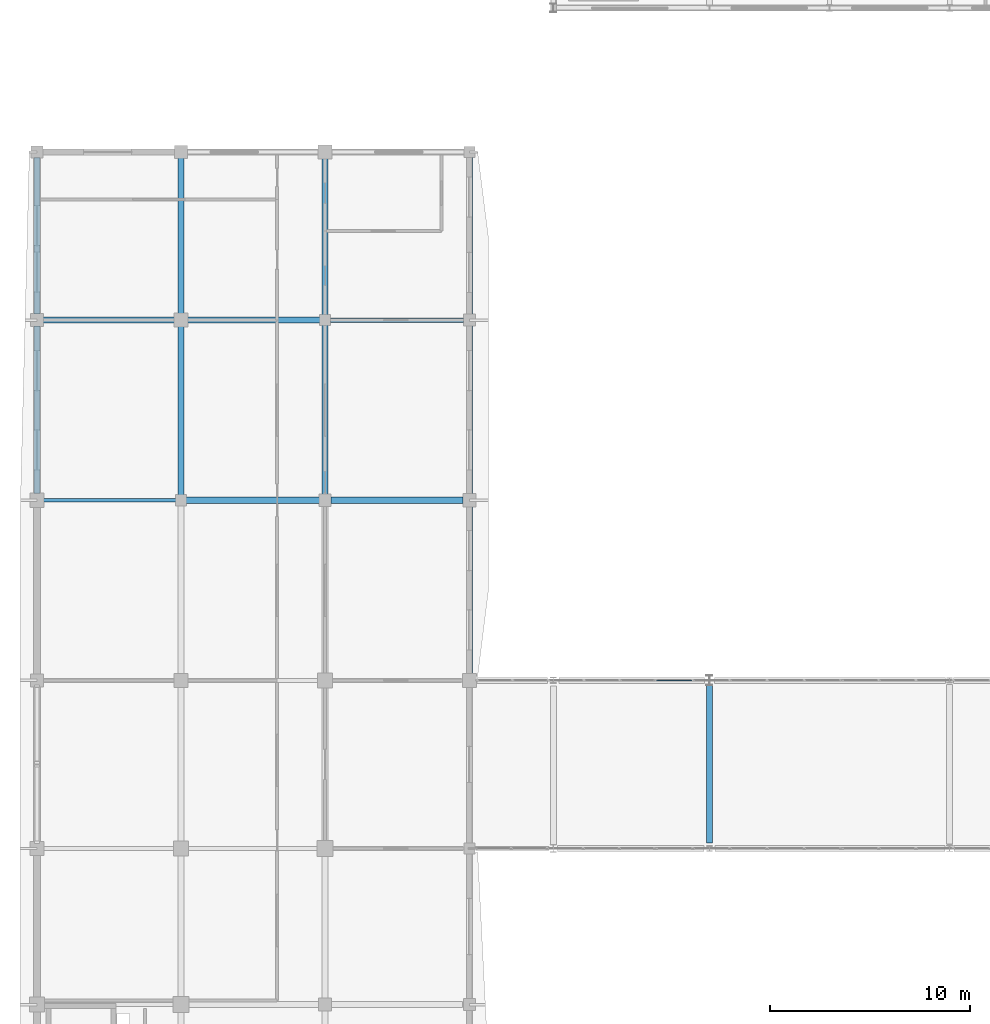
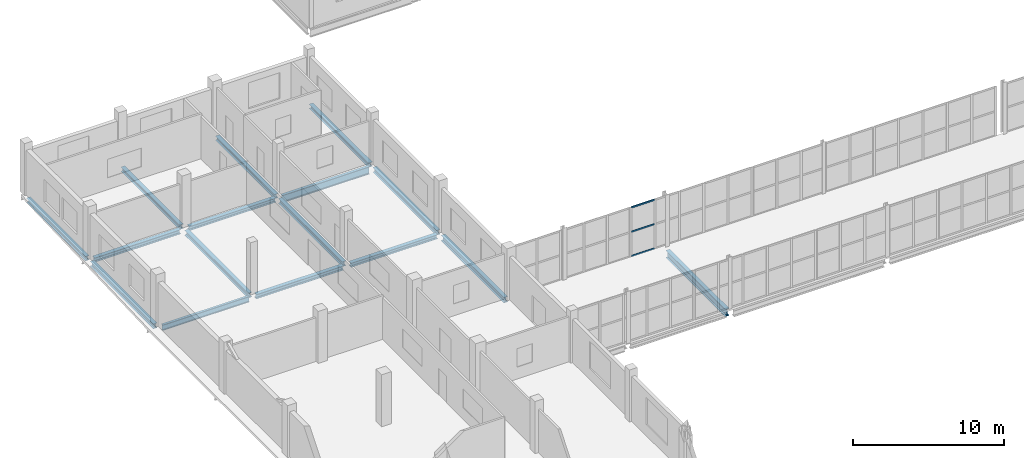
# One storey, part 60 of 121: 16 beams, 3 members, 1 element without a shape of its own.
"""IFC4 building model written with IfcOpenShell, lengths in metres."""

from ifc_helpers import new_model, si_unit, direction, frame, origin, origin_2d, place, context, subcontext, project, spatial, hollow_rectangle, i_section, extrude, material, layer, layer_set, material_profile, profile_set, type_object, element, aggregate, save


model = new_model("IFC4")

# Units and contexts
model_context = context("Model", 3, precision=1e-05, world=origin(), true_north=direction((0.0, 1.0)))
body_context = subcontext(model_context, "Body", "Model", "MODEL_VIEW")
ifc_project = project(units=[si_unit("LENGTHUNIT", "METRE"), si_unit("AREAUNIT", "SQUARE_METRE"), si_unit("VOLUMEUNIT", "CUBIC_METRE"), si_unit("PLANEANGLEUNIT", "RADIAN"), si_unit("MASSUNIT", "GRAM", prefix="KILO")], contexts=[model_context])

# Site, building, storey
site_placement = place(None, origin())
site = spatial("IfcSite", under=ifc_project, at=site_placement, CompositionType="ELEMENT")
building_placement = place(site_placement, origin())
building = spatial("IfcBuilding", under=site, at=building_placement, Name="Vinh Khe Railworks Police Headquarters", CompositionType="ELEMENT")
storey_placement = place(building_placement, frame((0.0, 0.0, 4.800048828125)))
storey = spatial("IfcBuildingStorey", under=building, at=storey_placement, Name="L01", CompositionType="ELEMENT", Elevation=4.800048828125)

# Beams
ifc_material_1 = material(Name="Steel S355JR", Category="steel")
ifc_material_profile_1 = material_profile(ifc_material_1, i_section(OverallWidth=0.300048828125, OverallDepth=0.330078125, WebThickness=0.009521484375, FlangeThickness=0.0166015625, FilletRadius=0.027099609375, at=origin_2d()), Name="HEA 340")
ifc_profile_set_1 = profile_set([ifc_material_profile_1], Name="Steel S355JR")
beam_type_1 = type_object("IfcBeamType", Name="Steel Girder HEA 340", PredefinedType="BEAM", material=ifc_profile_set_1)
beam_1_placement = place(storey_placement, frame((15.280029296875, 113.39990234375, -0.405029296875), z_axis=(1.0, 0.0, 0.0), x_axis=(0.0, 1.0, 0.0)))
element("IfcBeam", 1, at=beam_1_placement, inside=storey, type_object=beam_type_1, Name="Girder BM-L01-EW-SB-16-0506", PredefinedType="BEAM", context=body_context, shape_type="SweptSolid", body=[
    extrude(i_section(OverallWidth=0.300048828125, OverallDepth=0.330078125, WebThickness=0.009521484375, FlangeThickness=0.0166015625, FilletRadius=0.027099609375, at=origin_2d()), origin(), (0.0, 0.0, 1.0), 6.614990234375),
])
beam_2_placement = place(storey_placement, frame((8.1298828125, 122.39990234375, -0.405029296875), z_axis=(1.0, 0.0, 0.0), x_axis=(0.0, 1.0, 0.0)))
element("IfcBeam", 2, at=beam_2_placement, inside=storey, type_object=beam_type_1, Name="Girder BM-L01-EW-SB-16-0512", PredefinedType="BEAM", context=body_context, shape_type="SweptSolid", body=[
    extrude(i_section(OverallWidth=0.300048828125, OverallDepth=0.330078125, WebThickness=0.009521484375, FlangeThickness=0.0166015625, FilletRadius=0.027099609375, at=origin_2d()), origin(), (0.0, 0.0, 1.0), 6.615234375),
])
ifc_material_profile_2 = material_profile(ifc_material_1, i_section(OverallWidth=0.300048828125, OverallDepth=0.35009765625, WebThickness=0.010009765625, FlangeThickness=0.017578125, FilletRadius=0.027099609375, at=origin_2d()), Name="HEA 360")
ifc_profile_set_2 = profile_set([ifc_material_profile_2], Name="Steel S355JR")
beam_type_2 = type_object("IfcBeamType", Name="Steel Girder HEA 360", PredefinedType="BEAM", material=ifc_profile_set_2)
beam_3_placement = place(storey_placement, frame((8.054931640625, 113.39990234375, -0.4150390625), z_axis=(1.0, 0.0, 0.0), x_axis=(0.0, 1.0, 0.0)))
element("IfcBeam", 3, at=beam_3_placement, inside=storey, type_object=beam_type_2, Name="Girder BM-L01-EW-SB-15-0505", PredefinedType="BEAM", context=body_context, shape_type="SweptSolid", body=[
    extrude(i_section(OverallWidth=0.300048828125, OverallDepth=0.35009765625, WebThickness=0.010009765625, FlangeThickness=0.017578125, FilletRadius=0.027099609375, at=origin_2d()), origin(), (0.0, 0.0, 1.0), 6.6650390625),
])
beam_4_placement = place(storey_placement, frame((0.905029296875, 122.39990234375, -0.4150390625), z_axis=(1.0, 0.0, 0.0), x_axis=(0.0, 1.0, 0.0)))
element("IfcBeam", 4, at=beam_4_placement, inside=storey, type_object=beam_type_2, Name="Girder BM-L01-EW-SB-15-0511", PredefinedType="BEAM", context=body_context, shape_type="SweptSolid", body=[
    extrude(i_section(OverallWidth=0.300048828125, OverallDepth=0.35009765625, WebThickness=0.010009765625, FlangeThickness=0.017578125, FilletRadius=0.027099609375, at=origin_2d()), origin(), (0.0, 0.0, 1.0), 6.56494140625),
])
beam_5_placement = place(storey_placement, frame((0.60009765625, 122.705078125, -0.4150390625), z_axis=(0.0, 1.0, 0.0), x_axis=(-1.0, 0.0, 0.0)))
element("IfcBeam", 5, at=beam_5_placement, inside=storey, type_object=beam_type_2, Name="Girder BM-L01-NS-SB-15-0576", PredefinedType="BEAM", context=body_context, shape_type="SweptSolid", body=[
    extrude(i_section(OverallWidth=0.300048828125, OverallDepth=0.35009765625, WebThickness=0.010009765625, FlangeThickness=0.017578125, FilletRadius=0.027099609375, at=origin_2d()), origin(), (0.0, 0.0, 1.0), 7.81494140625),
])
beam_6_placement = place(storey_placement, frame((7.800048828125, 122.72998046875, -0.4150390625), z_axis=(0.0, 1.0, 0.0), x_axis=(-1.0, 0.0, 0.0)))
element("IfcBeam", 6, at=beam_6_placement, inside=storey, type_object=beam_type_2, Name="Girder BM-L01-NS-SB-15-0594", PredefinedType="BEAM", context=body_context, shape_type="SweptSolid", body=[
    extrude(i_section(OverallWidth=0.300048828125, OverallDepth=0.35009765625, WebThickness=0.010009765625, FlangeThickness=0.017578125, FilletRadius=0.027099609375, at=origin_2d()), origin(), (0.0, 0.0, 1.0), 7.76513671875),
])
beam_7_placement = place(storey_placement, frame((15.0, 122.655029296875, -0.4150390625), z_axis=(0.0, 1.0, 0.0), x_axis=(-1.0, 0.0, 0.0)))
element("IfcBeam", 7, at=beam_7_placement, inside=storey, type_object=beam_type_2, Name="Girder BM-L01-NS-SB-15-0612", PredefinedType="BEAM", context=body_context, shape_type="SweptSolid", body=[
    extrude(i_section(OverallWidth=0.300048828125, OverallDepth=0.35009765625, WebThickness=0.010009765625, FlangeThickness=0.017578125, FilletRadius=0.027099609375, at=origin_2d()), origin(), (0.0, 0.0, 1.0), 7.81494140625),
])
beam_8_placement = place(storey_placement, frame((22.199951171875, 122.679931640625, -0.4150390625), z_axis=(0.0, 1.0, 0.0), x_axis=(-1.0, 0.0, 0.0)))
element("IfcBeam", 8, at=beam_8_placement, inside=storey, type_object=beam_type_2, Name="Girder BM-L01-NS-SB-15-0630", PredefinedType="BEAM", context=body_context, shape_type="SweptSolid", body=[
    extrude(i_section(OverallWidth=0.300048828125, OverallDepth=0.35009765625, WebThickness=0.010009765625, FlangeThickness=0.017578125, FilletRadius=0.027099609375, at=origin_2d()), origin(), (0.0, 0.0, 1.0), 7.864990234375),
])
ifc_material_profile_3 = material_profile(ifc_material_1, i_section(OverallWidth=0.300048828125, OverallDepth=0.389892578125, WebThickness=0.010986328125, FlangeThickness=0.01904296875, FilletRadius=0.027099609375, at=origin_2d()), Name="HEA 400")
ifc_profile_set_3 = profile_set([ifc_material_profile_3], Name="Steel S355JR")
beam_type_3 = type_object("IfcBeamType", Name="Steel Girder HEA 400", PredefinedType="BEAM", material=ifc_profile_set_3)
beam_9_placement = place(storey_placement, frame((0.60009765625, 113.72998046875, -0.43505859375), z_axis=(0.0, 1.0, 0.0), x_axis=(-1.0, 0.0, 0.0)))
element("IfcBeam", 9, at=beam_9_placement, inside=storey, type_object=beam_type_3, Name="Girder BM-L01-NS-SB-14-0575", PredefinedType="BEAM", context=body_context, shape_type="SweptSolid", body=[
    extrude(i_section(OverallWidth=0.300048828125, OverallDepth=0.389892578125, WebThickness=0.010986328125, FlangeThickness=0.01904296875, FilletRadius=0.027099609375, at=origin_2d()), origin(), (0.0, 0.0, 1.0), 8.364990234375),
])
beam_10_placement = place(storey_placement, frame((7.800048828125, 113.655029296875, -0.43505859375), z_axis=(0.0, 1.0, 0.0), x_axis=(-1.0, 0.0, 0.0)))
element("IfcBeam", 10, at=beam_10_placement, inside=storey, type_object=beam_type_3, Name="Girder BM-L01-NS-SB-14-0593", PredefinedType="BEAM", context=body_context, shape_type="SweptSolid", body=[
    extrude(i_section(OverallWidth=0.300048828125, OverallDepth=0.389892578125, WebThickness=0.010986328125, FlangeThickness=0.01904296875, FilletRadius=0.027099609375, at=origin_2d()), origin(), (0.0, 0.0, 1.0), 8.4150390625),
])
beam_11_placement = place(storey_placement, frame((15.0, 113.679931640625, -0.43505859375), z_axis=(0.0, 1.0, 0.0), x_axis=(-1.0, 0.0, 0.0)))
element("IfcBeam", 11, at=beam_11_placement, inside=storey, type_object=beam_type_3, Name="Girder BM-L01-NS-SB-14-0611", PredefinedType="BEAM", context=body_context, shape_type="SweptSolid", body=[
    extrude(i_section(OverallWidth=0.300048828125, OverallDepth=0.389892578125, WebThickness=0.010986328125, FlangeThickness=0.01904296875, FilletRadius=0.027099609375, at=origin_2d()), origin(), (0.0, 0.0, 1.0), 8.465087890625),
])
beam_12_placement = place(storey_placement, frame((22.199951171875, 113.705078125, -0.43505859375), z_axis=(0.0, 1.0, 0.0), x_axis=(-1.0, 0.0, 0.0)))
element("IfcBeam", 12, at=beam_12_placement, inside=storey, type_object=beam_type_3, Name="Girder BM-L01-NS-SB-14-0629", PredefinedType="BEAM", context=body_context, shape_type="SweptSolid", body=[
    extrude(i_section(OverallWidth=0.300048828125, OverallDepth=0.389892578125, WebThickness=0.010986328125, FlangeThickness=0.01904296875, FilletRadius=0.027099609375, at=origin_2d()), origin(), (0.0, 0.0, 1.0), 8.4150390625),
])
ifc_material_profile_4 = material_profile(ifc_material_1, i_section(OverallWidth=0.300048828125, OverallDepth=0.43994140625, WebThickness=0.011474609375, FlangeThickness=0.02099609375, FilletRadius=0.027099609375, at=origin_2d()), Name="HEA 450")
ifc_profile_set_4 = profile_set([ifc_material_profile_4], Name="Steel S355JR")
beam_type_4 = type_object("IfcBeamType", Name="Steel Girder HEA 450", PredefinedType="BEAM", material=ifc_profile_set_4)
beam_13_placement = place(storey_placement, frame((22.199951171875, 104.780029296875, -0.4599609375), z_axis=(0.0, 1.0, 0.0), x_axis=(-1.0, 0.0, 0.0)))
element("IfcBeam", 13, at=beam_13_placement, inside=storey, type_object=beam_type_4, Name="Girder BM-L01-NS-SB-13-0628", PredefinedType="BEAM", context=body_context, shape_type="SweptSolid", body=[
    extrude(i_section(OverallWidth=0.300048828125, OverallDepth=0.43994140625, WebThickness=0.011474609375, FlangeThickness=0.02099609375, FilletRadius=0.027099609375, at=origin_2d()), origin(), (0.0, 0.0, 1.0), 8.31494140625),
])
ifc_material_profile_5 = material_profile(ifc_material_1, i_section(OverallWidth=0.300048828125, OverallDepth=0.590087890625, WebThickness=0.012939453125, FlangeThickness=0.02490234375, FilletRadius=0.027099609375, at=origin_2d()), Name="HEA 600")
ifc_profile_set_5 = profile_set([ifc_material_profile_5], Name="Steel S355JR")
beam_type_5 = type_object("IfcBeamType", Name="Steel Girder HEA 600", PredefinedType="BEAM", material=ifc_profile_set_5)
beam_14_placement = place(storey_placement, frame((34.199951171875, 96.280029296875, -0.53515625), z_axis=(0.0, 1.0, 0.0), x_axis=(-1.0, 0.0, 0.0)))
element("IfcBeam", 14, at=beam_14_placement, inside=storey, type_object=beam_type_5, Name="Girder BM-L01-NS-SB-10-0643", PredefinedType="BEAM", context=body_context, shape_type="SweptSolid", body=[
    extrude(i_section(OverallWidth=0.300048828125, OverallDepth=0.590087890625, WebThickness=0.012939453125, FlangeThickness=0.02490234375, FilletRadius=0.027099609375, at=origin_2d()), origin(), (0.0, 0.0, 1.0), 7.864990234375),
])
ifc_material_profile_6 = material_profile(ifc_material_1, i_section(OverallWidth=0.18994140625, OverallDepth=0.449951171875, WebThickness=0.009521484375, FlangeThickness=0.0146484375, FilletRadius=0.02099609375, at=origin_2d()), Name="IPE 450")
ifc_profile_set_6 = profile_set([ifc_material_profile_6], Name="Steel S355JR")
beam_type_6 = type_object("IfcBeamType", Name="Steel Girder IPE 450", PredefinedType="BEAM", material=ifc_profile_set_6)
beam_15_placement = place(storey_placement, frame((0.929931640625, 113.39990234375, -0.465087890625), z_axis=(1.0, 0.0, 0.0), x_axis=(0.0, 1.0, 0.0)))
element("IfcBeam", 15, at=beam_15_placement, inside=storey, type_object=beam_type_6, Name="Girder BM-L01-EW-SB-20-0504", PredefinedType="BEAM", context=body_context, shape_type="SweptSolid", body=[
    extrude(i_section(OverallWidth=0.18994140625, OverallDepth=0.449951171875, WebThickness=0.009521484375, FlangeThickness=0.0146484375, FilletRadius=0.02099609375, at=origin_2d()), origin(), (0.0, 0.0, 1.0), 6.614990234375),
])
ifc_material_profile_7 = material_profile(ifc_material_1, i_section(OverallWidth=0.219970703125, OverallDepth=0.60009765625, WebThickness=0.011962890625, FlangeThickness=0.01904296875, FilletRadius=0.02392578125, at=origin_2d()), Name="IPE 600")
ifc_profile_set_7 = profile_set([ifc_material_profile_7], Name="Steel S355JR")
beam_type_7 = type_object("IfcBeamType", Name="Steel Girder IPE 600", PredefinedType="BEAM", material=ifc_profile_set_7)
beam_16_placement = place(storey_placement, frame((15.2548828125, 122.39990234375, -0.5400390625), z_axis=(1.0, 0.0, 0.0), x_axis=(0.0, 1.0, 0.0)))
element("IfcBeam", 16, at=beam_16_placement, inside=storey, type_object=beam_type_7, Name="Girder BM-L01-EW-SB-17-0513", PredefinedType="BEAM", context=body_context, shape_type="SweptSolid", body=[
    extrude(i_section(OverallWidth=0.219970703125, OverallDepth=0.60009765625, WebThickness=0.011962890625, FlangeThickness=0.01904296875, FilletRadius=0.02392578125, at=origin_2d()), origin(), (0.0, 0.0, 1.0), 6.6650390625),
])

# Curtain wall, members
ifc_material_2 = material(Name="Anodised aluminium and solar-control glass", Category="aluminium")
ifc_layer = layer(ifc_material_2, 0.159912109375)
ifc_layer_set = layer_set([ifc_layer], Name="Anodised aluminium and solar-control glass")
curtain_wall_type = type_object("IfcCurtainWallType", Name="CW-SHOPFRONT", PredefinedType="USERDEFINED", material=ifc_layer_set)
curtain_wall_placement = place(storey_placement, origin())
curtain_wall = element("IfcCurtainWall", 17, at=curtain_wall_placement, inside=storey, type_object=curtain_wall_type, Name="Link Bridge North Glazing L01 Bay 2", ObjectType="UNITISED GLAZING", PredefinedType="USERDEFINED")
ifc_material_3 = material(Name="Anodised aluminium 6063-T6", Category="aluminium")
ifc_material_profile_8 = material_profile(ifc_material_3, hollow_rectangle(XDim=0.06005859375, YDim=0.1201171875, WallThickness=0.00390625, at=origin_2d()), Name="CW-T 60x120x4")
ifc_profile_set_8 = profile_set([ifc_material_profile_8], Name="Anodised aluminium 6063-T6")
member_type = type_object("IfcMemberType", Name="TRAN-CWT-01", PredefinedType="USERDEFINED", material=ifc_profile_set_8)
member_1_placement = place(storey_placement, frame((31.56005859375, 104.39990234375, 0.030029296875), z_axis=(1.0, 0.0, 0.0), x_axis=(0.0, 1.0, 0.0)))
member_1 = element("IfcMember", 18, at=member_1_placement, type_object=member_type, Name="CW-03 transom 1.1", ObjectType="TRANSOM", PredefinedType="USERDEFINED", context=body_context, shape_type="SweptSolid", body=[
    extrude(hollow_rectangle(XDim=0.06005859375, YDim=0.1201171875, WallThickness=0.00390625, at=origin_2d()), origin(), (0.0, 0.0, 1.0), 1.77001953125),
])
member_2_placement = place(storey_placement, frame((31.56005859375, 104.39990234375, 1.989990234375), z_axis=(1.0, 0.0, 0.0), x_axis=(0.0, 1.0, 0.0)))
member_2 = element("IfcMember", 19, at=member_2_placement, type_object=member_type, Name="CW-03 transom 1.2", ObjectType="TRANSOM", PredefinedType="USERDEFINED", context=body_context, shape_type="SweptSolid", body=[
    extrude(hollow_rectangle(XDim=0.06005859375, YDim=0.1201171875, WallThickness=0.00390625, at=origin_2d()), origin(), (0.0, 0.0, 1.0), 1.77001953125),
])
member_3_placement = place(storey_placement, frame((31.56005859375, 104.39990234375, 3.949951171875), z_axis=(1.0, 0.0, 0.0), x_axis=(0.0, 1.0, 0.0)))
member_3 = element("IfcMember", 20, at=member_3_placement, type_object=member_type, Name="CW-03 transom 1.3", ObjectType="TRANSOM", PredefinedType="USERDEFINED", context=body_context, shape_type="SweptSolid", body=[
    extrude(hollow_rectangle(XDim=0.06005859375, YDim=0.1201171875, WallThickness=0.00390625, at=origin_2d()), origin(), (0.0, 0.0, 1.0), 1.77001953125),
])
aggregate(curtain_wall, [member_1, member_2, member_3])

save(model, "model.ifc")
